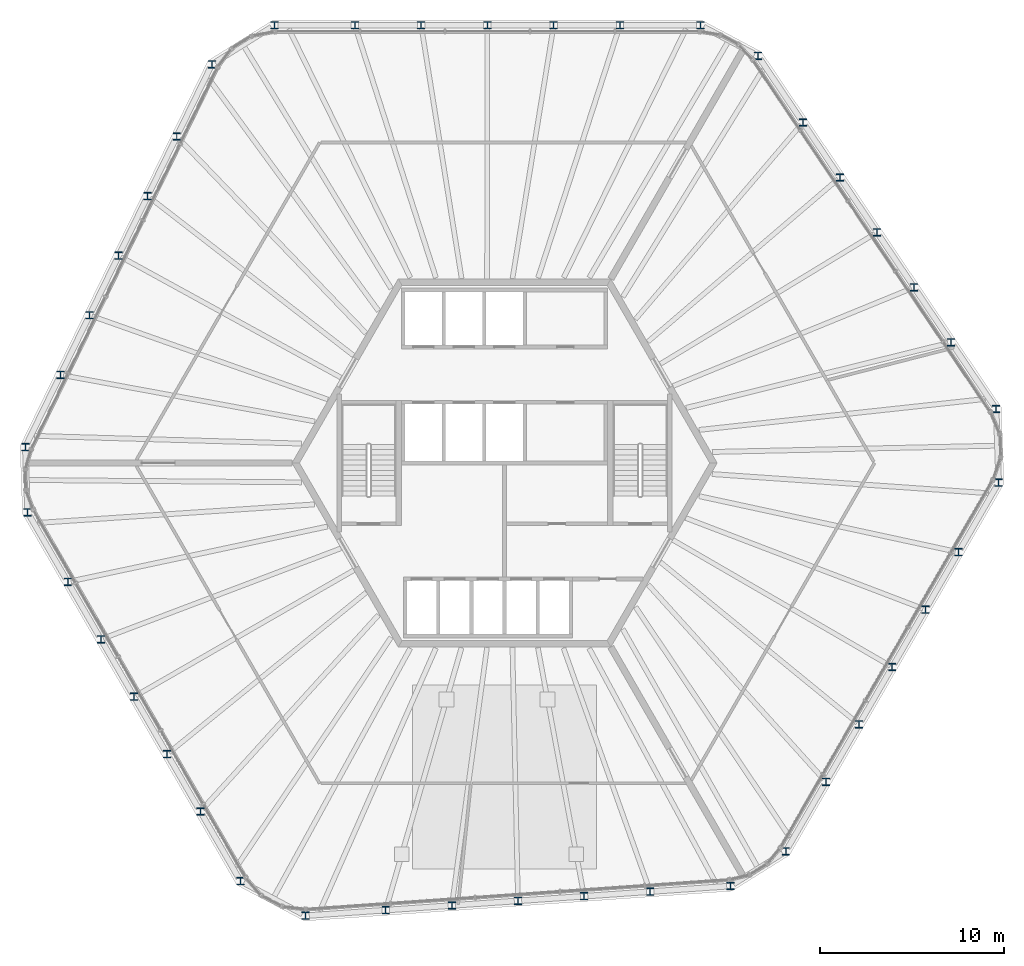
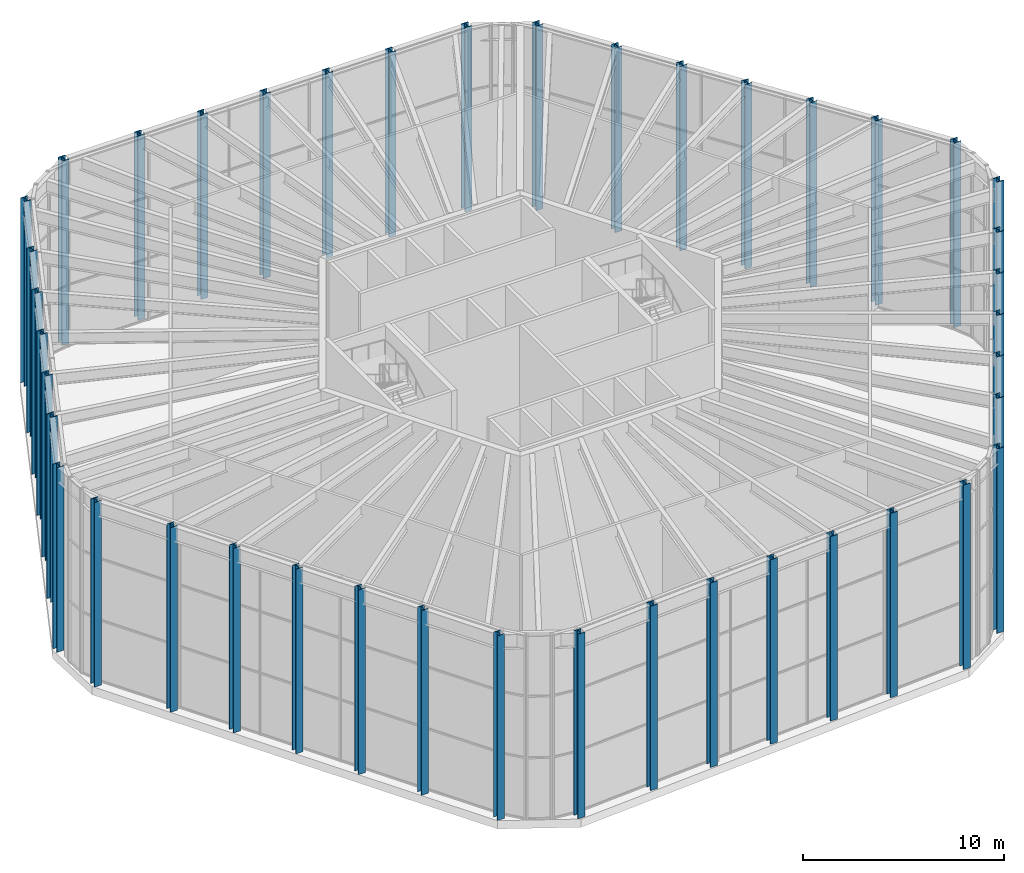
# One storey, part 1 of 17: 42 columns.
"""IFC4 building model written with IfcOpenShell, lengths in metres."""

from ifc_helpers import new_model, si_unit, direction, frame, origin, origin_2d, place, context, subcontext, project, spatial, i_section, extrude, material, material_profile, profile_set, type_object, element, save


model = new_model("IFC4")

# Units and contexts
model_context = context("Model", 3, precision=1e-05, world=origin(), true_north=direction((0.0, 1.0)))
body_context = subcontext(model_context, "Body", "Model", "MODEL_VIEW")
ifc_project = project(units=[si_unit("LENGTHUNIT", "METRE"), si_unit("AREAUNIT", "SQUARE_METRE"), si_unit("VOLUMEUNIT", "CUBIC_METRE"), si_unit("PLANEANGLEUNIT", "RADIAN"), si_unit("MASSUNIT", "GRAM", prefix="KILO")], contexts=[model_context])

# Site, building, storey
site_placement = place(None, origin())
site = spatial("IfcSite", under=ifc_project, at=site_placement, CompositionType="ELEMENT")
building_placement = place(site_placement, origin())
building = spatial("IfcBuilding", under=site, at=building_placement, Name="Tarnside Tower", CompositionType="ELEMENT")
storey_placement = place(building_placement, frame((0.0, 0.0, 376.800048828125)))
storey = spatial("IfcBuildingStorey", under=building, at=storey_placement, Name="L91", CompositionType="ELEMENT", Elevation=376.800048828125)

# Columns
ifc_material = material(Name="Steel S355", Category="steel")
ifc_material_profile = material_profile(ifc_material, i_section(OverallWidth=0.403076171875, OverallDepth=0.406494140625, WebThickness=0.026611328125, FlangeThickness=0.04296875, FilletRadius=0.01513671875, at=origin_2d()), Name="UC 356x406x340")
ifc_profile_set = profile_set([ifc_material_profile], Name="Steel S355")
column_type = type_object("IfcColumnType", Name="Steel column UC 356x406x340", PredefinedType="COLUMN", material=ifc_profile_set)
for number, where, z_axis, x_axis, name in (
    (1, (10.63427734375, 23.77490234375, 0.0), (0.0, 0.0, 1.0), (1.0, 0.0, 0.0), "Damper hall column 1"),
    (2, (6.268310546875, 23.77490234375, 0.0), (0.0, 0.0, 1.0), (1.0, 0.0, 0.0), "Damper hall column 2"),
    (3, (2.66845703125, 23.77490234375, 0.0), (0.0, 0.0, 1.0), (1.0, 0.0, 0.0), "Damper hall column 3"),
    (4, (-0.931640625, 23.77490234375, 0.0), (0.0, 0.0, 1.0), (1.0, 0.0, 0.0), "Damper hall column 4"),
    (5, (-4.531494140625, 23.77490234375, 0.0), (0.0, 0.0, 1.0), (1.0, 0.0, 0.0), "Damper hall column 5"),
    (6, (-8.131591796875, 23.77490234375, 0.0), (0.0, 0.0, 1.0), (1.0, 0.0, 0.0), "Damper hall column 6"),
    (7, (-12.497314453125, 23.77490234375, 0.0), (0.0, 0.0, 1.0), (1.0, 0.0, 0.0), "Damper hall column 7"),
    (8, (-15.890380859375, 21.65478515625, 0.0), (0.0, 0.0, 1.0), (1.0, 0.0, 0.0), "Damper hall column 8"),
    (9, (-17.80419921875, 17.73095703125, 0.0), (0.0, 0.0, 1.0), (1.0, 0.0, 0.0), "Damper hall column 9"),
    (10, (-19.38232421875, 14.4951171875, 0.0), (0.0, 0.0, 1.0), (1.0, 0.0, 0.0), "Damper hall column 10"),
    (11, (-20.96044921875, 11.259521484375, 0.0), (0.0, 0.0, 1.0), (1.0, 0.0, 0.0), "Damper hall column 11"),
    (12, (-22.53857421875, 8.02392578125, 0.0), (0.0, 0.0, 1.0), (1.0, 0.0, 0.0), "Damper hall column 12"),
    (13, (-24.11669921875, 4.788330078125, 0.0), (0.0, 0.0, 1.0), (1.0, 0.0, 0.0), "Damper hall column 13"),
    (14, (-26.030517578125, 0.8642578125, 0.0), (0.0, 0.0, 1.0), (1.0, 0.0, 0.0), "Damper hall column 14"),
    (15, (-25.90673828125, -2.677978515625, 0.0), (0.0, 0.0, 1.0), (1.0, 0.0, 0.0), "Damper hall column 15"),
    (16, (-23.723876953125, -6.458984375, 0.0), (0.0, 0.0, 1.0), (1.0, 0.0, 0.0), "Damper hall column 16"),
    (17, (-21.923828125, -9.57666015625, 0.0), (0.0, 0.0, 1.0), (1.0, 0.0, 0.0), "Damper hall column 17"),
    (18, (-20.123779296875, -12.6943359375, 0.0), (0.0, 0.0, 1.0), (1.0, 0.0, 0.0), "Damper hall column 18"),
    (19, (-18.323974609375, -15.81201171875, 0.0), (0.0, 0.0, 1.0), (1.0, 0.0, 0.0), "Damper hall column 19"),
    (20, (-16.52392578125, -18.9296875, 0.0), (0.0, 0.0, 1.0), (1.0, 0.0, 0.0), "Damper hall column 20"),
    (21, (-14.341064453125, -22.710693359375, 0.0), (0.0, 0.0, 1.0), (1.0, 0.0, 0.0), "Damper hall column 21"),
    (22, (-10.80859375, -24.5888671875, 0.0), (0.0, 0.0, 1.0), (1.0, 0.0, 0.0), "Damper hall column 22"),
    (23, (-6.453369140625, -24.2841796875, 0.0), (0.0, 0.0, 1.0), (1.0, 0.0, 0.0), "Damper hall column 23"),
    (24, (-2.862060546875, -24.033203125, 0.0), (0.0, 0.0, 1.0), (1.0, 0.0, 0.0), "Damper hall column 24"),
    (25, (0.72900390625, -23.781982421875, 0.0), (0.0, 0.0, 1.0), (1.0, 0.0, 0.0), "Damper hall column 25"),
    (26, (4.3203125, -23.531005859375, 0.0), (0.0, 0.0, 1.0), (1.0, 0.0, 0.0), "Damper hall column 26"),
    (27, (7.91162109375, -23.27978515625, 0.0), (0.0, 0.0, 1.0), (1.0, 0.0, 0.0), "Damper hall column 27"),
    (28, (12.2666015625, -22.975341796875, 0.0), (0.0, 0.0, 1.0), (1.0, 0.0, 0.0), "Damper hall column 28"),
    (29, (15.272705078125, -21.096923828125, 0.0), (0.0, 0.0, 1.0), (1.0, 0.0, 0.0), "Damper hall column 29"),
    (30, (17.45556640625, -17.316162109375, 0.0), (0.0, 0.0, 1.0), (1.0, 0.0, 0.0), "Damper hall column 30"),
    (31, (19.255615234375, -14.198486328125, 0.0), (0.0, 0.0, 1.0), (1.0, 0.0, 0.0), "Damper hall column 31"),
    (32, (21.0556640625, -11.080810546875, 0.0), (0.0, 0.0, 1.0), (1.0, 0.0, 0.0), "Damper hall column 32"),
    (33, (22.855712890625, -7.962890625, 0.0), (0.0, 0.0, 1.0), (1.0, 0.0, 0.0), "Damper hall column 33"),
    (34, (24.655517578125, -4.84521484375, 0.0), (0.0, 0.0, 1.0), (1.0, 0.0, 0.0), "Damper hall column 34"),
    (35, (26.83837890625, -1.064453125, 0.0), (0.0, 0.0, 1.0), (1.0, 0.0, 0.0), "Damper hall column 35"),
    (36, (26.69873046875, 2.93408203125, 0.0), (0.0, 0.0, 1.0), (1.0, 0.0, 0.0), "Damper hall column 36"),
    (37, (24.257568359375, 6.553466796875, 0.0), (0.0, 0.0, 1.0), (1.0, 0.0, 0.0), "Damper hall column 37"),
    (38, (22.244384765625, 9.5380859375, 0.0), (0.0, 0.0, 1.0), (1.0, 0.0, 0.0), "Damper hall column 38"),
    (39, (20.231201171875, 12.5224609375, 0.0), (0.0, 0.0, 1.0), (1.0, 0.0, 0.0), "Damper hall column 39"),
    (40, (18.21826171875, 15.507080078125, 0.0), (0.0, 0.0, 1.0), (1.0, 0.0, 0.0), "Damper hall column 40"),
    (41, (16.205078125, 18.49169921875, 0.0), (0.0, 0.0, 1.0), (1.0, 0.0, 0.0), "Damper hall column 41"),
    (42, (13.763916015625, 22.111083984375, 0.0), (0.0, 0.0, 1.0), (1.0, 0.0, 0.0), "Damper hall column 42"),
):
    element("IfcColumn", number, at=place(storey_placement, frame(where, z_axis=z_axis, x_axis=x_axis)), inside=storey, type_object=column_type, Name=name, PredefinedType="COLUMN", context=body_context, shape_type="SweptSolid", body=[
        extrude(i_section(OverallWidth=0.403076171875, OverallDepth=0.406494140625, WebThickness=0.026611328125, FlangeThickness=0.04296875, FilletRadius=0.01513671875, at=origin_2d()), origin(), (0.0, 0.0, 1.0), 11.199951171875),
    ])

save(model, "model.ifc")
